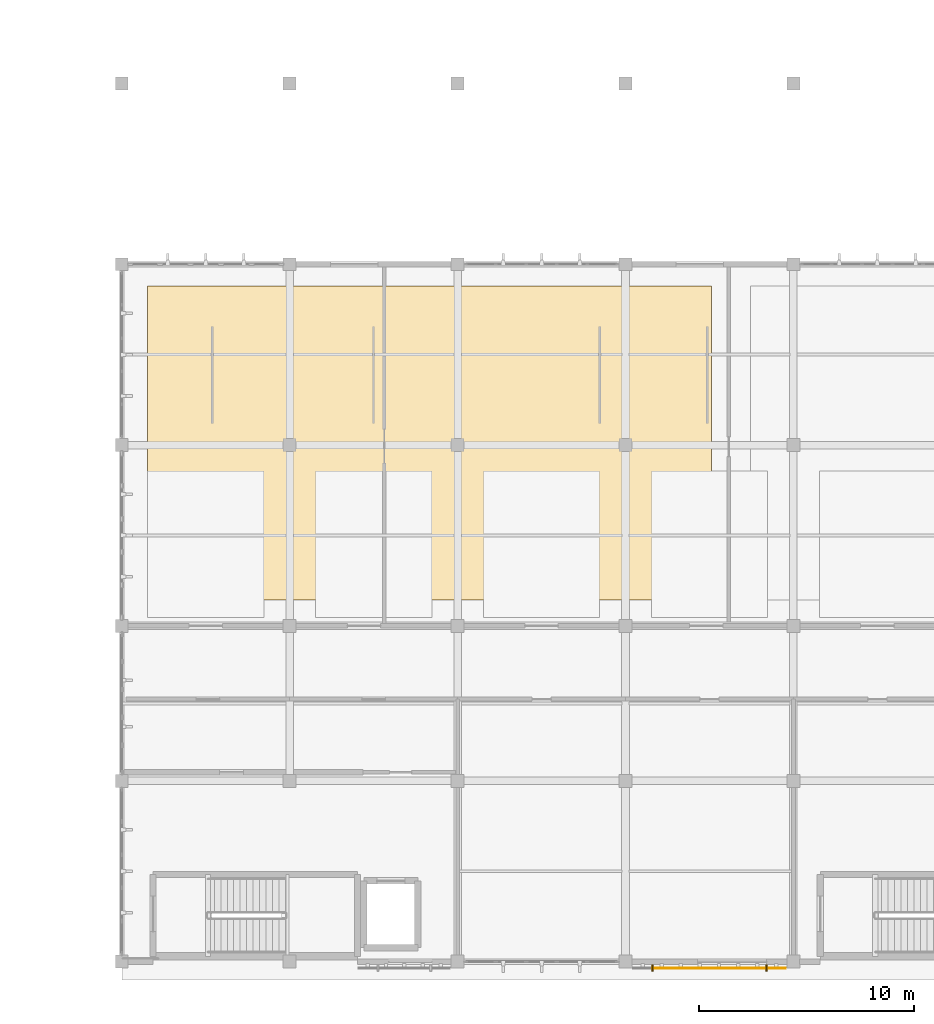
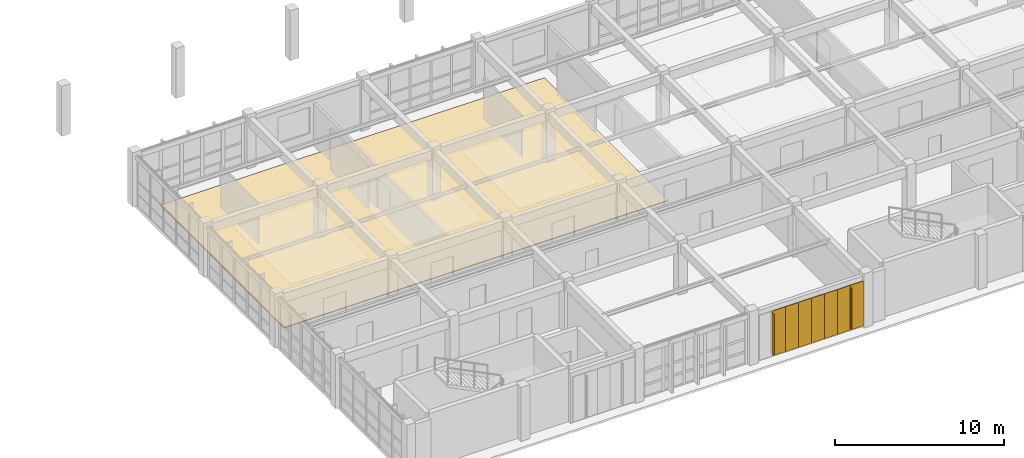
# One storey, part 55 of 67: 8 coverings, 2 shading devices.
"""IFC4 building model written with IfcOpenShell, lengths in metres."""

import ifcopenshell
import ifcopenshell.guid

model = None  # the IFC model being written
_history = None  # IfcOwnerHistory: only IFC2X3 demands one
_inside = {}  # id of a spatial element -> (the spatial element, [elements in it])
_under = {}  # id of a project, library or spatial element -> (it, [spatial elements below it])
_declared = {}  # id of a project -> (the project, [libraries it declares])
_typed = {}  # id of a type object -> (the type object, [elements of that type])
_made_of = {}  # id of a material, layer set ... -> (it, [elements and type objects made of it])


def new_model(schema):
    """Start an empty IFC model of exactly this schema.

    Asked for "IFC4X3", IfcOpenShell would pick the latest addendum, in which some entities
    have other attributes; the version numbers below select the first issue.
    IFC2X3 requires an IfcOwnerHistory on every rooted entity: one is made here for all.
    """
    global model, _history
    if schema == "IFC4X3":
        model = ifcopenshell.file(schema_version=(4, 3, 0, 0))
    else:
        model = ifcopenshell.file(schema=schema)
    _inside.clear()
    _under.clear()
    _declared.clear()
    _typed.clear()
    _made_of.clear()
    _history = None
    if model.schema == "IFC2X3":
        org = make("IfcOrganization", Name="unknown")
        user = make(
            "IfcPersonAndOrganization",
            ThePerson=make("IfcPerson", FamilyName="unknown"),
            TheOrganization=org,
        )
        app = make(
            "IfcApplication",
            ApplicationDeveloper=org,
            Version="unknown",
            ApplicationFullName="unknown",
            ApplicationIdentifier="unknown",
        )
        _history = make(
            "IfcOwnerHistory",
            OwningUser=user,
            OwningApplication=app,
            ChangeAction="ADDED",
            CreationDate=0,
        )
    return model


def make(cls, **values):
    """One entity of the class cls with the attributes given. An attribute that is None is left unset."""
    return model.create_entity(
        cls, **{name: value for name, value in values.items() if value is not None}
    )


def rooted(cls, **values):
    """An entity with a GlobalId (a new one), such as an element, a storey or a relation."""
    return make(cls, GlobalId=ifcopenshell.guid.new(), OwnerHistory=_history, **values)


def si_unit(unit_type, name, prefix=None):
    """IfcSIUnit, for example si_unit("LENGTHUNIT", "METRE", prefix="MILLI")."""
    return make("IfcSIUnit", UnitType=unit_type, Prefix=prefix, Name=name)


def assignment(units):
    """IfcUnitAssignment: the units of a project."""
    return None if units is None else make("IfcUnitAssignment", Units=units)


def point(xyz):
    """IfcCartesianPoint."""
    return None if xyz is None else make("IfcCartesianPoint", Coordinates=xyz)


def direction(xyz):
    """IfcDirection."""
    return None if xyz is None else make("IfcDirection", DirectionRatios=xyz)


def frame(location, z_axis=None, x_axis=None):
    """IfcAxis2Placement3D, a coordinate frame: its origin and axes. An axis left out is left unset."""
    return make(
        "IfcAxis2Placement3D",
        Location=point(location),
        Axis=direction(z_axis),
        RefDirection=direction(x_axis),
    )


def frame_2d(location, x_axis=None):
    """IfcAxis2Placement2D, a coordinate frame in the plane: its origin and x axis."""
    return make(
        "IfcAxis2Placement2D", Location=point(location), RefDirection=direction(x_axis)
    )


def origin():
    """The frame at (0, 0, 0) with its axes left unset."""
    return frame((0.0, 0.0, 0.0))


def origin_2d():
    """The frame at (0, 0) in the plane with its x axis left unset."""
    return frame_2d((0.0, 0.0))


def place(relative_to, where):
    """IfcLocalPlacement: puts the frame where relative to a parent placement (None: the world)."""
    return make(
        "IfcLocalPlacement", PlacementRelTo=relative_to, RelativePlacement=where
    )


def context(
    kind, dimensions, precision=None, world=None, true_north=None, identifier=None
):
    """IfcGeometricRepresentationContext, for example the 3D "Model" context."""
    return make(
        "IfcGeometricRepresentationContext",
        ContextIdentifier=identifier,
        ContextType=kind,
        CoordinateSpaceDimension=dimensions,
        Precision=precision,
        WorldCoordinateSystem=world,
        TrueNorth=true_north,
    )


def subcontext(parent, identifier, kind, view, scale=None):
    """IfcGeometricRepresentationSubContext, for example "Body" below "Model"."""
    return make(
        "IfcGeometricRepresentationSubContext",
        ContextIdentifier=identifier,
        ContextType=kind,
        ParentContext=parent,
        TargetScale=scale,
        TargetView=view,
    )


def project(units=None, contexts=None):
    """IfcProject with its units and contexts."""
    return rooted(
        "IfcProject",
        Name="project",
        RepresentationContexts=contexts,
        UnitsInContext=assignment(units),
    )


def spatial(cls, under=None, at=None, **own):
    """A site, building, storey or space (cls), placed at a placement, below another one or the project."""
    s = rooted(cls, ObjectPlacement=at, **own)
    if under is not None:
        _under.setdefault(under.id(), (under, []))[1].append(s)
    return s


def polyline(points):
    """IfcPolyline through the points."""
    return make("IfcPolyline", Points=[point(p) for p in points])


def profile(cls, at=None, kind="AREA", **sizes):
    """A parametric profile (cls). Its sizes go by their IFC names, for example OverallWidth=200.0."""
    return make(cls, ProfileType=kind, Position=at, **sizes)


def rectangle(**sizes):
    """IfcRectangleProfileDef."""
    return profile("IfcRectangleProfileDef", **sizes)


def outline(outer, holes=None, kind="AREA"):
    """IfcArbitraryClosedProfileDef: a profile drawn as a closed curve; with holes, ...WithVoids."""
    if holes is None:
        return make("IfcArbitraryClosedProfileDef", ProfileType=kind, OuterCurve=outer)
    return make(
        "IfcArbitraryProfileDefWithVoids",
        ProfileType=kind,
        OuterCurve=outer,
        InnerCurves=holes,
    )


def extrude(swept, where, along, depth):
    """IfcExtrudedAreaSolid: the profile swept, set in the frame where, extruded along a direction by depth."""
    return make(
        "IfcExtrudedAreaSolid",
        SweptArea=swept,
        Position=where,
        ExtrudedDirection=direction(along),
        Depth=depth,
    )


def shape(context_of_items, identifier, shape_type, items):
    """IfcShapeRepresentation: the items that make up one representation, for example the "Body"."""
    return make(
        "IfcShapeRepresentation",
        ContextOfItems=context_of_items,
        RepresentationIdentifier=identifier,
        RepresentationType=shape_type,
        Items=items,
    )


def material(Name=None, Category=None):
    """IfcMaterial."""
    return make("IfcMaterial", Name=Name, Category=Category)


def layer(
    of_material, thickness, ventilated=None, Name=None, Category=None, Priority=None
):
    """IfcMaterialLayer: one layer of a wall or slab, of a material (None: an air gap)."""
    return make(
        "IfcMaterialLayer",
        Material=of_material,
        LayerThickness=thickness,
        IsVentilated=ventilated,
        Name=Name,
        Category=Category,
        Priority=Priority,
    )


def layer_set(layers, Name=None):
    """IfcMaterialLayerSet."""
    return make("IfcMaterialLayerSet", MaterialLayers=layers, LayerSetName=Name)


def made_of(thing, what):
    """Note that an element or type object is made of a material, layer set ...; save() writes the relation."""
    if what is not None:
        _made_of.setdefault(what.id(), (what, []))[1].append(thing)
    return thing


def type_object(cls, material=None, **own):
    """A type object (cls), such as IfcWallType, which elements share."""
    return made_of(rooted(cls, **own), material)


def element(
    cls,
    number,
    at=None,
    inside=None,
    cuts=None,
    type_object=None,
    material=None,
    context=None,
    identifier="Body",
    shape_type=None,
    held_by="IfcProductDefinitionShape",
    body=None,
    shapes=None,
    **own,
):
    """One element of the class cls, such as IfcWall. Its Tag is "e" and its number.

    at: its placement. inside: the storey or other place that contains it. cuts: it is an
    opening in that element (IfcRelVoidsElement). A single representation is given by context,
    identifier, shape_type and body (its items); several are given by shapes. held_by: the class
    of the entity that holds the representations. save() writes the other relations.
    """
    e = rooted(cls, Tag="e%d" % number, ObjectPlacement=at, **own)
    if body is not None:
        shapes = [shape(context, identifier, shape_type, body)]
    if shapes is not None:
        e.Representation = make(held_by, Representations=shapes)
    if inside is not None:
        _inside.setdefault(inside.id(), (inside, []))[1].append(e)
    if cuts is not None:
        rooted(
            "IfcRelVoidsElement", RelatingBuildingElement=cuts, RelatedOpeningElement=e
        )
    if type_object is not None:
        _typed.setdefault(type_object.id(), (type_object, []))[1].append(e)
    return made_of(e, material)


def aggregate(whole, parts):
    """IfcRelAggregates: a whole, such as a stair, and the parts it consists of."""
    return rooted("IfcRelAggregates", RelatingObject=whole, RelatedObjects=parts)


def save(model, path):
    """Write the relations noted so far, then the file.

    IfcRelAggregates (storeys below a building ...), IfcRelContainedInSpatialStructure (elements
    in a storey), IfcRelDefinesByType, IfcRelAssociatesMaterial and IfcRelDeclares: one each for
    every whole, place, type object, material and project.
    """
    for whole, parts in _under.values():
        aggregate(whole, parts)
    for where, things in _inside.values():
        rooted(
            "IfcRelContainedInSpatialStructure",
            RelatedElements=things,
            RelatingStructure=where,
        )
    for kind, things in _typed.values():
        rooted("IfcRelDefinesByType", RelatedObjects=things, RelatingType=kind)
    for what, things in _made_of.values():
        rooted("IfcRelAssociatesMaterial", RelatedObjects=things, RelatingMaterial=what)
    for by, libraries in _declared.values():
        rooted("IfcRelDeclares", RelatingContext=by, RelatedDefinitions=libraries)
    model.write(path)


model = new_model("IFC4")

# Units and contexts
model_context = context("Model", 3, precision=1e-05, world=origin(), true_north=direction((0.0, 1.0)))
body_context = subcontext(model_context, "Body", "Model", "MODEL_VIEW")
ifc_project = project(units=[si_unit("LENGTHUNIT", "METRE"), si_unit("AREAUNIT", "SQUARE_METRE"), si_unit("VOLUMEUNIT", "CUBIC_METRE"), si_unit("PLANEANGLEUNIT", "RADIAN"), si_unit("MASSUNIT", "GRAM", prefix="KILO")], contexts=[model_context])

# Site, building, storey
site_placement = place(None, origin())
site = spatial("IfcSite", under=ifc_project, at=site_placement, CompositionType="ELEMENT")
building_placement = place(site_placement, origin())
building = spatial("IfcBuilding", under=site, at=building_placement, Name="Tizgana Railside Sports Hall", CompositionType="ELEMENT")
storey_placement = place(building_placement, frame((0.0, 0.0, 12.0)))
storey = spatial("IfcBuildingStorey", under=building, at=storey_placement, Name="L02", CompositionType="ELEMENT", Elevation=12.0)

# Shading devices
ifc_material_1 = material(Name="Glulam GL28h", Category="wood")
shading_device_type = type_object("IfcShadingDeviceType", Name="Glulam Vertical Brise-Soleil Fin 320", PredefinedType="JALOUSIE", material=ifc_material_1)
for number, where, z_axis, x_axis, name in (
    (1, (37.75, -0.2939453125, 0.35009765625), (0.0, 0.0, 1.0), (-1.0, 0.0, 0.0), "L02 Glulam Fin FIN-0039"),
    (2, (32.449951171875, -0.2939453125, 0.35009765625), (0.0, 0.0, 1.0), (-1.0, 0.0, 0.0), "L02 Glulam Fin FIN-0040"),
):
    element("IfcShadingDevice", number, at=place(storey_placement, frame(where, z_axis=z_axis, x_axis=x_axis)), inside=storey, type_object=shading_device_type, Name=name, PredefinedType="JALOUSIE", context=body_context, shape_type="SweptSolid", body=[
        extrude(rectangle(XDim=0.080078125, YDim=0.320068359375, at=origin_2d()), origin(), (0.0, 0.0, 1.0), 2.93994140625),
    ])

# Coverings
ifc_material_2 = material(Name="Anodised perforated aluminium screen", Category="aluminium")
ifc_layer_1 = layer(ifc_material_2, 0.044921875, Name="Anodised perforated aluminium screen")
ifc_layer_set_1 = layer_set([ifc_layer_1], Name="Anodised perforated aluminium screen")
covering_type_1 = type_object("IfcCoveringType", Name="Perforated Aluminium Hall Screen 900", PredefinedType="CLADDING", material=ifc_layer_set_1)
for number, where, z_axis, x_axis, name in (
    (3, (38.206298828125, -0.31494140625, 0.2001953125), (0.0, 0.0, 1.0), (-1.0, 0.0, 0.0), "L02 Perforated Screen SCR-0562"),
    (4, (37.31884765625, -0.31494140625, 0.2001953125), (0.0, 0.0, 1.0), (-1.0, 0.0, 0.0), "L02 Perforated Screen SCR-0563"),
    (5, (36.43115234375, -0.31494140625, 0.2001953125), (0.0, 0.0, 1.0), (-1.0, 0.0, 0.0), "L02 Perforated Screen SCR-0564"),
    (6, (35.543701171875, -0.31494140625, 0.2001953125), (0.0, 0.0, 1.0), (-1.0, 0.0, 0.0), "L02 Perforated Screen SCR-0565"),
    (7, (34.65625, -0.31494140625, 0.2001953125), (0.0, 0.0, 1.0), (-1.0, 0.0, 0.0), "L02 Perforated Screen SCR-0566"),
    (8, (33.768798828125, -0.31494140625, 0.2001953125), (0.0, 0.0, 1.0), (-1.0, 0.0, 0.0), "L02 Perforated Screen SCR-0567"),
    (9, (32.88134765625, -0.31494140625, 0.2001953125), (0.0, 0.0, 1.0), (-1.0, 0.0, 0.0), "L02 Perforated Screen SCR-0568"),
):
    element("IfcCovering", number, at=place(storey_placement, frame(where, z_axis=z_axis, x_axis=x_axis)), inside=storey, type_object=covering_type_1, Name=name, PredefinedType="CLADDING", context=body_context, shape_type="SweptSolid", body=[
        extrude(rectangle(XDim=0.869384765625, YDim=0.044921875, at=origin_2d()), origin(), (0.0, 0.0, 1.0), 3.239990234375),
    ])
ifc_material_3 = material(Name="Sprung beech timber", Category="wood")
ifc_layer_2 = layer(ifc_material_3, 0.06494140625, Name="Sprung beech timber")
ifc_layer_set_2 = layer_set([ifc_layer_2], Name="Sprung beech timber")
covering_type_2 = type_object("IfcCoveringType", Name="Sprung Beech Hardwood Court Floor", PredefinedType="FLOORING", material=ifc_layer_set_2)
covering_placement = place(storey_placement, origin())
element("IfcCovering", 10, at=covering_placement, inside=storey, type_object=covering_type_2, Name="L02 Sprung Sports Floor FLR-0005", PredefinedType="FLOORING", context=body_context, shape_type="SweptSolid", body=[
    extrude(outline(polyline([(9.0, 16.800048828125), (35.199951171875, 16.800048828125), (35.199951171875, 31.39990234375), (9.0, 31.39990234375), (9.0, 16.800048828125)])), origin(), (0.0, 0.0, 1.0), 0.06494140625),
])

save(model, "model.ifc")
